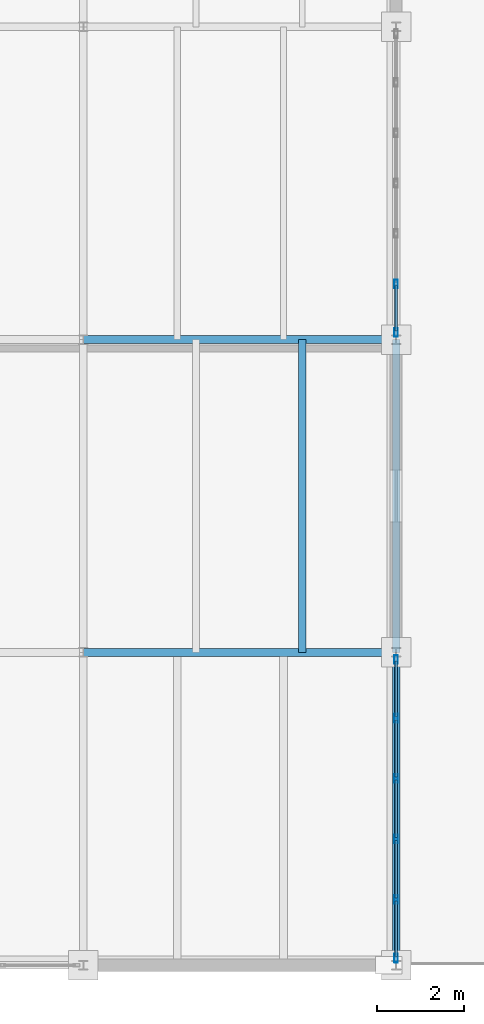
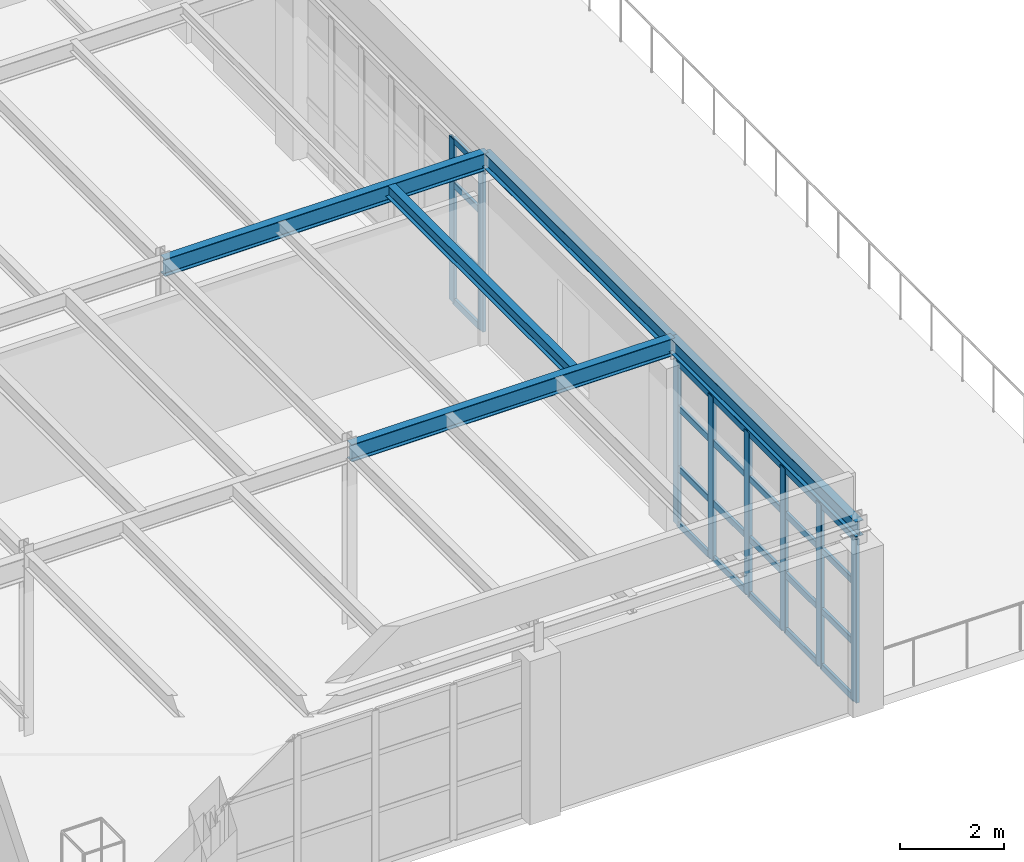
# One storey, part 20 of 43: 32 members, 5 beams, 2 elements without a shape of their own.
"""IFC4 building model written with IfcOpenShell, lengths in metres."""

from ifc_helpers import new_model, si_unit, direction, frame, origin, origin_2d, place, context, subcontext, project, spatial, hollow_rectangle, i_section, extrude, material, layer, layer_set, material_profile, profile_set, type_object, element, aggregate, save


model = new_model("IFC4")

# Units and contexts
model_context = context("Model", 3, precision=1e-05, world=origin(), true_north=direction((0.0, 1.0)))
body_context = subcontext(model_context, "Body", "Model", "MODEL_VIEW")
ifc_project = project(units=[si_unit("LENGTHUNIT", "METRE"), si_unit("AREAUNIT", "SQUARE_METRE"), si_unit("VOLUMEUNIT", "CUBIC_METRE"), si_unit("PLANEANGLEUNIT", "RADIAN"), si_unit("MASSUNIT", "GRAM", prefix="KILO")], contexts=[model_context])

# Site, building, storey
site_placement = place(None, origin())
site = spatial("IfcSite", under=ifc_project, at=site_placement, CompositionType="ELEMENT")
building_placement = place(site_placement, origin())
building = spatial("IfcBuilding", under=site, at=building_placement, Name="Kemerveld Promenade Tramway Depot", CompositionType="ELEMENT")
storey_placement = place(building_placement, frame((0.0, 0.0, 18.89990234375)))
storey = spatial("IfcBuildingStorey", under=building, at=storey_placement, Name="L04", CompositionType="ELEMENT", Elevation=18.89990234375)

# Beams
ifc_material_1 = material(Name="Steel S355", Category="steel")
ifc_material_profile_1 = material_profile(ifc_material_1, i_section(OverallWidth=0.1787109375, OverallDepth=0.409423828125, WebThickness=0.0087890625, FlangeThickness=0.014404296875, FilletRadius=0.01025390625, at=origin_2d()), Name="406x178x67 UB")
ifc_profile_set_1 = profile_set([ifc_material_profile_1], Name="Steel S355")
beam_type_1 = type_object("IfcBeamType", Name="BM-G07", PredefinedType="BEAM", material=ifc_profile_set_1)
for number, where, z_axis, x_axis, name in (
    (1, (28.800048828125, 7.199951171875, 4.115478515625), (1.0, 0.0, 0.0), (0.0, 1.0, 0.0), "BMX-L04-05-06-B"),
    (2, (28.800048828125, 14.39990234375, 4.115478515625), (1.0, 0.0, 0.0), (0.0, 1.0, 0.0), "BMX-L04-05-06-C"),
):
    element("IfcBeam", number, at=place(storey_placement, frame(where, z_axis=z_axis, x_axis=x_axis)), inside=storey, type_object=beam_type_1, Name=name, PredefinedType="BEAM", context=body_context, shape_type="SweptSolid", body=[
        extrude(i_section(OverallWidth=0.1787109375, OverallDepth=0.409423828125, WebThickness=0.0087890625, FlangeThickness=0.014404296875, FilletRadius=0.01025390625, at=origin_2d()), origin(), (0.0, 0.0, 1.0), 7.199951171875),
    ])
ifc_material_profile_2 = material_profile(ifc_material_1, i_section(OverallWidth=0.172119140625, OverallDepth=0.35791015625, WebThickness=0.008056640625, FlangeThickness=0.012939453125, FilletRadius=0.01025390625, at=origin_2d()), Name="356x171x57 UB")
ifc_profile_set_2 = profile_set([ifc_material_profile_2], Name="Steel S355")
beam_type_2 = type_object("IfcBeamType", Name="BM-G08", PredefinedType="BEAM", material=ifc_profile_set_2)
for number, where, z_axis, x_axis, name in (
    (3, (36.0, 0.0, 4.14111328125), (0.0, 1.0, 0.0), (-1.0, 0.0, 0.0), "BMY-L04-06-A-B"),
    (4, (36.0, 7.199951171875, 4.14111328125), (0.0, 1.0, 0.0), (-1.0, 0.0, 0.0), "BMY-L04-06-B-C"),
):
    element("IfcBeam", number, at=place(storey_placement, frame(where, z_axis=z_axis, x_axis=x_axis)), inside=storey, type_object=beam_type_2, Name=name, PredefinedType="BEAM", context=body_context, shape_type="SweptSolid", body=[
        extrude(i_section(OverallWidth=0.172119140625, OverallDepth=0.35791015625, WebThickness=0.008056640625, FlangeThickness=0.012939453125, FilletRadius=0.01025390625, at=origin_2d()), origin(), (0.0, 0.0, 1.0), 7.199951171875),
    ])
ifc_material_profile_3 = material_profile(ifc_material_1, i_section(OverallWidth=0.165771484375, OverallDepth=0.306640625, WebThickness=0.006591796875, FlangeThickness=0.01171875, FilletRadius=0.0087890625, at=origin_2d()), Name="305x165x46 UB")
ifc_profile_set_3 = profile_set([ifc_material_profile_3], Name="Steel S355")
beam_type_3 = type_object("IfcBeamType", Name="BM-J01", PredefinedType="JOIST", material=ifc_profile_set_3)
beam_placement = place(storey_placement, frame((33.840087890625, 7.199951171875, 4.166748046875), z_axis=(0.0, 1.0, 0.0), x_axis=(-1.0, 0.0, 0.0)))
element("IfcBeam", 5, at=beam_placement, inside=storey, type_object=beam_type_3, Name="JST-L04-05-B-2", PredefinedType="JOIST", context=body_context, shape_type="SweptSolid", body=[
    extrude(i_section(OverallWidth=0.165771484375, OverallDepth=0.306640625, WebThickness=0.006591796875, FlangeThickness=0.01171875, FilletRadius=0.0087890625, at=origin_2d()), origin(), (0.0, 0.0, 1.0), 7.199951171875),
])

# Curtain wall, members
ifc_material_2 = material(Name="Bronze anodised aluminium and solar glass", Category="aluminium")
ifc_layer_1 = layer(ifc_material_2, 0.199951171875)
ifc_layer_set_1 = layer_set([ifc_layer_1], Name="CW-SYS-06")
curtain_wall_type_1 = type_object("IfcCurtainWallType", Name="CW-SYS-06", PredefinedType="USERDEFINED", material=ifc_layer_set_1)
curtain_wall_1_placement = place(storey_placement, origin())
curtain_wall_1 = element("IfcCurtainWall", 6, at=curtain_wall_1_placement, inside=storey, type_object=curtain_wall_type_1, Name="CW-L04-V5ES-02", ObjectType="GLAZED_CURTAIN_WALL", PredefinedType="USERDEFINED")
ifc_material_3 = material(Name="Bronze anodised aluminium", Category="aluminium")
ifc_material_profile_4 = material_profile(ifc_material_3, hollow_rectangle(XDim=0.074951171875, YDim=0.199951171875, WallThickness=0.0048828125, InnerFilletRadius=0.001953125, OuterFilletRadius=0.0048828125, at=origin_2d()), Name="CW-MUL-200x75")
ifc_profile_set_4 = profile_set([ifc_material_profile_4], Name="Bronze anodised aluminium")
member_type_1 = type_object("IfcMemberType", Name="CW-MUL-B", PredefinedType="MULLION", material=ifc_profile_set_4)
member_1_placement = place(storey_placement, frame((36.0, 15.68310546875, 0.0), z_axis=(0.0, 0.0, 1.0), x_axis=(1.0, 0.0, 0.0)))
member_1 = element("IfcMember", 7, at=member_1_placement, type_object=member_type_1, Name="CW06 mullion 6", PredefinedType="MULLION", context=body_context, shape_type="SweptSolid", body=[
    extrude(hollow_rectangle(XDim=0.074951171875, YDim=0.199951171875, WallThickness=0.0048828125, InnerFilletRadius=0.001953125, OuterFilletRadius=0.0048828125, at=origin_2d()), origin(), (0.0, 0.0, 1.0), 3.85009765625),
])
member_2_placement = place(storey_placement, frame((36.0, 14.562255859375, 0.0), z_axis=(0.0, 0.0, 1.0), x_axis=(1.0, 0.0, 0.0)))
member_2 = element("IfcMember", 8, at=member_2_placement, type_object=member_type_1, Name="CW06 mullion 7", PredefinedType="MULLION", context=body_context, shape_type="SweptSolid", body=[
    extrude(hollow_rectangle(XDim=0.074951171875, YDim=0.199951171875, WallThickness=0.0048828125, InnerFilletRadius=0.001953125, OuterFilletRadius=0.0048828125, at=origin_2d()), origin(), (0.0, 0.0, 1.0), 3.85009765625),
])

ifc_layer_2 = layer(ifc_material_2, 0.199951171875)
ifc_layer_set_2 = layer_set([ifc_layer_2], Name="CW-SYS-08")
curtain_wall_type_2 = type_object("IfcCurtainWallType", Name="CW-SYS-08", PredefinedType="USERDEFINED", material=ifc_layer_set_2)
curtain_wall_2_placement = place(storey_placement, origin())
curtain_wall_2 = element("IfcCurtainWall", 9, at=curtain_wall_2_placement, inside=storey, type_object=curtain_wall_type_2, Name="CW-L04-V5ES-04", ObjectType="GLAZED_CURTAIN_WALL", PredefinedType="USERDEFINED")
member_3_placement = place(storey_placement, frame((36.0, 7.03759765625, 0.0), z_axis=(0.0, 0.0, 1.0), x_axis=(1.0, 0.0, 0.0)))
member_3 = element("IfcMember", 10, at=member_3_placement, type_object=member_type_1, Name="CW08 mullion 1", PredefinedType="MULLION", context=body_context, shape_type="SweptSolid", body=[
    extrude(hollow_rectangle(XDim=0.074951171875, YDim=0.199951171875, WallThickness=0.0048828125, InnerFilletRadius=0.001953125, OuterFilletRadius=0.0048828125, at=origin_2d()), origin(), (0.0, 0.0, 1.0), 3.85009765625),
])
member_4_placement = place(storey_placement, frame((36.0, 5.68505859375, 0.0), z_axis=(0.0, 0.0, 1.0), x_axis=(1.0, 0.0, 0.0)))
member_4 = element("IfcMember", 11, at=member_4_placement, type_object=member_type_1, Name="CW08 mullion 2", PredefinedType="MULLION", context=body_context, shape_type="SweptSolid", body=[
    extrude(hollow_rectangle(XDim=0.074951171875, YDim=0.199951171875, WallThickness=0.0048828125, InnerFilletRadius=0.001953125, OuterFilletRadius=0.0048828125, at=origin_2d()), origin(), (0.0, 0.0, 1.0), 3.85009765625),
])
member_5_placement = place(storey_placement, frame((36.0, 4.294921875, 0.0), z_axis=(0.0, 0.0, 1.0), x_axis=(1.0, 0.0, 0.0)))
member_5 = element("IfcMember", 12, at=member_5_placement, type_object=member_type_1, Name="CW08 mullion 3", PredefinedType="MULLION", context=body_context, shape_type="SweptSolid", body=[
    extrude(hollow_rectangle(XDim=0.074951171875, YDim=0.199951171875, WallThickness=0.0048828125, InnerFilletRadius=0.001953125, OuterFilletRadius=0.0048828125, at=origin_2d()), origin(), (0.0, 0.0, 1.0), 3.85009765625),
])
member_6_placement = place(storey_placement, frame((36.0, 2.905029296875, 0.0), z_axis=(0.0, 0.0, 1.0), x_axis=(1.0, 0.0, 0.0)))
member_6 = element("IfcMember", 13, at=member_6_placement, type_object=member_type_1, Name="CW08 mullion 4", PredefinedType="MULLION", context=body_context, shape_type="SweptSolid", body=[
    extrude(hollow_rectangle(XDim=0.074951171875, YDim=0.199951171875, WallThickness=0.0048828125, InnerFilletRadius=0.001953125, OuterFilletRadius=0.0048828125, at=origin_2d()), origin(), (0.0, 0.0, 1.0), 3.85009765625),
])
member_7_placement = place(storey_placement, frame((36.0, 1.514892578125, 0.0), z_axis=(0.0, 0.0, 1.0), x_axis=(1.0, 0.0, 0.0)))
member_7 = element("IfcMember", 14, at=member_7_placement, type_object=member_type_1, Name="CW08 mullion 5", PredefinedType="MULLION", context=body_context, shape_type="SweptSolid", body=[
    extrude(hollow_rectangle(XDim=0.074951171875, YDim=0.199951171875, WallThickness=0.0048828125, InnerFilletRadius=0.001953125, OuterFilletRadius=0.0048828125, at=origin_2d()), origin(), (0.0, 0.0, 1.0), 3.85009765625),
])
member_8_placement = place(storey_placement, frame((36.0, 0.162353515625, 0.0), z_axis=(0.0, 0.0, 1.0), x_axis=(1.0, 0.0, 0.0)))
member_8 = element("IfcMember", 15, at=member_8_placement, type_object=member_type_1, Name="CW08 mullion 6", PredefinedType="MULLION", context=body_context, shape_type="SweptSolid", body=[
    extrude(hollow_rectangle(XDim=0.074951171875, YDim=0.199951171875, WallThickness=0.0048828125, InnerFilletRadius=0.001953125, OuterFilletRadius=0.0048828125, at=origin_2d()), origin(), (0.0, 0.0, 1.0), 3.85009765625),
])

# Member
ifc_material_profile_5 = material_profile(ifc_material_3, hollow_rectangle(XDim=0.06494140625, YDim=0.14990234375, WallThickness=0.00439453125, InnerFilletRadius=0.001953125, OuterFilletRadius=0.00439453125, at=origin_2d()), Name="CW-TRN-150x65")
ifc_profile_set_5 = profile_set([ifc_material_profile_5], Name="Bronze anodised aluminium")
member_type_2 = type_object("IfcMemberType", Name="CW-TRN-B", PredefinedType="USERDEFINED", material=ifc_profile_set_5)
member_9_placement = place(storey_placement, frame((36.0, 15.645751953125, 0.03271484375), z_axis=(0.0, -1.0, 0.0), x_axis=(1.0, 0.0, 0.0)))
member_9 = element("IfcMember", 16, at=member_9_placement, type_object=member_type_2, Name="CW06 transom 6.1", ObjectType="TRANSOM", PredefinedType="USERDEFINED", context=body_context, shape_type="SweptSolid", body=[
    extrude(hollow_rectangle(XDim=0.06494140625, YDim=0.14990234375, WallThickness=0.00439453125, InnerFilletRadius=0.001953125, OuterFilletRadius=0.00439453125, at=origin_2d()), origin(), (0.0, 0.0, 1.0), 1.0458984375),
])

member_10_placement = place(storey_placement, frame((36.0, 15.645751953125, 1.34716796875), z_axis=(0.0, -1.0, 0.0), x_axis=(1.0, 0.0, 0.0)))
member_10 = element("IfcMember", 17, at=member_10_placement, type_object=member_type_2, Name="CW06 transom 6.2", ObjectType="TRANSOM", PredefinedType="USERDEFINED", context=body_context, shape_type="SweptSolid", body=[
    extrude(hollow_rectangle(XDim=0.06494140625, YDim=0.14990234375, WallThickness=0.00439453125, InnerFilletRadius=0.001953125, OuterFilletRadius=0.00439453125, at=origin_2d()), origin(), (0.0, 0.0, 1.0), 1.0458984375),
])

member_11_placement = place(storey_placement, frame((36.0, 15.645751953125, 2.772216796875), z_axis=(0.0, -1.0, 0.0), x_axis=(1.0, 0.0, 0.0)))
member_11 = element("IfcMember", 18, at=member_11_placement, type_object=member_type_2, Name="CW06 transom 6.3", ObjectType="TRANSOM", PredefinedType="USERDEFINED", context=body_context, shape_type="SweptSolid", body=[
    extrude(hollow_rectangle(XDim=0.06494140625, YDim=0.14990234375, WallThickness=0.00439453125, InnerFilletRadius=0.001953125, OuterFilletRadius=0.00439453125, at=origin_2d()), origin(), (0.0, 0.0, 1.0), 1.0458984375),
])

member_12_placement = place(storey_placement, frame((36.0, 15.645751953125, 3.817626953125), z_axis=(0.0, -1.0, 0.0), x_axis=(1.0, 0.0, 0.0)))
member_12 = element("IfcMember", 19, at=member_12_placement, type_object=member_type_2, Name="CW06 transom 6.4", ObjectType="TRANSOM", PredefinedType="USERDEFINED", context=body_context, shape_type="SweptSolid", body=[
    extrude(hollow_rectangle(XDim=0.06494140625, YDim=0.14990234375, WallThickness=0.00439453125, InnerFilletRadius=0.001953125, OuterFilletRadius=0.00439453125, at=origin_2d()), origin(), (0.0, 0.0, 1.0), 1.0458984375),
])

aggregate(curtain_wall_1, [member_1, member_2, member_9, member_10, member_11, member_12])

member_13_placement = place(storey_placement, frame((36.0, 7.000244140625, 0.03271484375), z_axis=(0.0, -1.0, 0.0), x_axis=(1.0, 0.0, 0.0)))
member_13 = element("IfcMember", 20, at=member_13_placement, type_object=member_type_2, Name="CW08 transom 1.1", ObjectType="TRANSOM", PredefinedType="USERDEFINED", context=body_context, shape_type="SweptSolid", body=[
    extrude(hollow_rectangle(XDim=0.06494140625, YDim=0.14990234375, WallThickness=0.00439453125, InnerFilletRadius=0.001953125, OuterFilletRadius=0.00439453125, at=origin_2d()), origin(), (0.0, 0.0, 1.0), 1.277587890625),
])

member_14_placement = place(storey_placement, frame((36.0, 7.000244140625, 1.34716796875), z_axis=(0.0, -1.0, 0.0), x_axis=(1.0, 0.0, 0.0)))
member_14 = element("IfcMember", 21, at=member_14_placement, type_object=member_type_2, Name="CW08 transom 1.2", ObjectType="TRANSOM", PredefinedType="USERDEFINED", context=body_context, shape_type="SweptSolid", body=[
    extrude(hollow_rectangle(XDim=0.06494140625, YDim=0.14990234375, WallThickness=0.00439453125, InnerFilletRadius=0.001953125, OuterFilletRadius=0.00439453125, at=origin_2d()), origin(), (0.0, 0.0, 1.0), 1.277587890625),
])

member_15_placement = place(storey_placement, frame((36.0, 7.000244140625, 2.772216796875), z_axis=(0.0, -1.0, 0.0), x_axis=(1.0, 0.0, 0.0)))
member_15 = element("IfcMember", 22, at=member_15_placement, type_object=member_type_2, Name="CW08 transom 1.3", ObjectType="TRANSOM", PredefinedType="USERDEFINED", context=body_context, shape_type="SweptSolid", body=[
    extrude(hollow_rectangle(XDim=0.06494140625, YDim=0.14990234375, WallThickness=0.00439453125, InnerFilletRadius=0.001953125, OuterFilletRadius=0.00439453125, at=origin_2d()), origin(), (0.0, 0.0, 1.0), 1.277587890625),
])

member_16_placement = place(storey_placement, frame((36.0, 7.000244140625, 3.817626953125), z_axis=(0.0, -1.0, 0.0), x_axis=(1.0, 0.0, 0.0)))
member_16 = element("IfcMember", 23, at=member_16_placement, type_object=member_type_2, Name="CW08 transom 1.4", ObjectType="TRANSOM", PredefinedType="USERDEFINED", context=body_context, shape_type="SweptSolid", body=[
    extrude(hollow_rectangle(XDim=0.06494140625, YDim=0.14990234375, WallThickness=0.00439453125, InnerFilletRadius=0.001953125, OuterFilletRadius=0.00439453125, at=origin_2d()), origin(), (0.0, 0.0, 1.0), 1.277587890625),
])

member_17_placement = place(storey_placement, frame((36.0, 5.647705078125, 0.03271484375), z_axis=(0.0, -1.0, 0.0), x_axis=(1.0, 0.0, 0.0)))
member_17 = element("IfcMember", 24, at=member_17_placement, type_object=member_type_2, Name="CW08 transom 2.1", ObjectType="TRANSOM", PredefinedType="USERDEFINED", context=body_context, shape_type="SweptSolid", body=[
    extrude(hollow_rectangle(XDim=0.06494140625, YDim=0.14990234375, WallThickness=0.00439453125, InnerFilletRadius=0.001953125, OuterFilletRadius=0.00439453125, at=origin_2d()), origin(), (0.0, 0.0, 1.0), 1.315185546875),
])

member_18_placement = place(storey_placement, frame((36.0, 5.647705078125, 1.34716796875), z_axis=(0.0, -1.0, 0.0), x_axis=(1.0, 0.0, 0.0)))
member_18 = element("IfcMember", 25, at=member_18_placement, type_object=member_type_2, Name="CW08 transom 2.2", ObjectType="TRANSOM", PredefinedType="USERDEFINED", context=body_context, shape_type="SweptSolid", body=[
    extrude(hollow_rectangle(XDim=0.06494140625, YDim=0.14990234375, WallThickness=0.00439453125, InnerFilletRadius=0.001953125, OuterFilletRadius=0.00439453125, at=origin_2d()), origin(), (0.0, 0.0, 1.0), 1.315185546875),
])

member_19_placement = place(storey_placement, frame((36.0, 5.647705078125, 2.772216796875), z_axis=(0.0, -1.0, 0.0), x_axis=(1.0, 0.0, 0.0)))
member_19 = element("IfcMember", 26, at=member_19_placement, type_object=member_type_2, Name="CW08 transom 2.3", ObjectType="TRANSOM", PredefinedType="USERDEFINED", context=body_context, shape_type="SweptSolid", body=[
    extrude(hollow_rectangle(XDim=0.06494140625, YDim=0.14990234375, WallThickness=0.00439453125, InnerFilletRadius=0.001953125, OuterFilletRadius=0.00439453125, at=origin_2d()), origin(), (0.0, 0.0, 1.0), 1.315185546875),
])

member_20_placement = place(storey_placement, frame((36.0, 5.647705078125, 3.817626953125), z_axis=(0.0, -1.0, 0.0), x_axis=(1.0, 0.0, 0.0)))
member_20 = element("IfcMember", 27, at=member_20_placement, type_object=member_type_2, Name="CW08 transom 2.4", ObjectType="TRANSOM", PredefinedType="USERDEFINED", context=body_context, shape_type="SweptSolid", body=[
    extrude(hollow_rectangle(XDim=0.06494140625, YDim=0.14990234375, WallThickness=0.00439453125, InnerFilletRadius=0.001953125, OuterFilletRadius=0.00439453125, at=origin_2d()), origin(), (0.0, 0.0, 1.0), 1.315185546875),
])

member_21_placement = place(storey_placement, frame((36.0, 4.257568359375, 0.03271484375), z_axis=(0.0, -1.0, 0.0), x_axis=(1.0, 0.0, 0.0)))
member_21 = element("IfcMember", 28, at=member_21_placement, type_object=member_type_2, Name="CW08 transom 3.1", ObjectType="TRANSOM", PredefinedType="USERDEFINED", context=body_context, shape_type="SweptSolid", body=[
    extrude(hollow_rectangle(XDim=0.06494140625, YDim=0.14990234375, WallThickness=0.00439453125, InnerFilletRadius=0.001953125, OuterFilletRadius=0.00439453125, at=origin_2d()), origin(), (0.0, 0.0, 1.0), 1.315185546875),
])

member_22_placement = place(storey_placement, frame((36.0, 4.257568359375, 1.34716796875), z_axis=(0.0, -1.0, 0.0), x_axis=(1.0, 0.0, 0.0)))
member_22 = element("IfcMember", 29, at=member_22_placement, type_object=member_type_2, Name="CW08 transom 3.2", ObjectType="TRANSOM", PredefinedType="USERDEFINED", context=body_context, shape_type="SweptSolid", body=[
    extrude(hollow_rectangle(XDim=0.06494140625, YDim=0.14990234375, WallThickness=0.00439453125, InnerFilletRadius=0.001953125, OuterFilletRadius=0.00439453125, at=origin_2d()), origin(), (0.0, 0.0, 1.0), 1.315185546875),
])

member_23_placement = place(storey_placement, frame((36.0, 4.257568359375, 2.772216796875), z_axis=(0.0, -1.0, 0.0), x_axis=(1.0, 0.0, 0.0)))
member_23 = element("IfcMember", 30, at=member_23_placement, type_object=member_type_2, Name="CW08 transom 3.3", ObjectType="TRANSOM", PredefinedType="USERDEFINED", context=body_context, shape_type="SweptSolid", body=[
    extrude(hollow_rectangle(XDim=0.06494140625, YDim=0.14990234375, WallThickness=0.00439453125, InnerFilletRadius=0.001953125, OuterFilletRadius=0.00439453125, at=origin_2d()), origin(), (0.0, 0.0, 1.0), 1.315185546875),
])

member_24_placement = place(storey_placement, frame((36.0, 4.257568359375, 3.817626953125), z_axis=(0.0, -1.0, 0.0), x_axis=(1.0, 0.0, 0.0)))
member_24 = element("IfcMember", 31, at=member_24_placement, type_object=member_type_2, Name="CW08 transom 3.4", ObjectType="TRANSOM", PredefinedType="USERDEFINED", context=body_context, shape_type="SweptSolid", body=[
    extrude(hollow_rectangle(XDim=0.06494140625, YDim=0.14990234375, WallThickness=0.00439453125, InnerFilletRadius=0.001953125, OuterFilletRadius=0.00439453125, at=origin_2d()), origin(), (0.0, 0.0, 1.0), 1.315185546875),
])

member_25_placement = place(storey_placement, frame((36.0, 2.867431640625, 0.03271484375), z_axis=(0.0, -1.0, 0.0), x_axis=(1.0, 0.0, 0.0)))
member_25 = element("IfcMember", 32, at=member_25_placement, type_object=member_type_2, Name="CW08 transom 4.1", ObjectType="TRANSOM", PredefinedType="USERDEFINED", context=body_context, shape_type="SweptSolid", body=[
    extrude(hollow_rectangle(XDim=0.06494140625, YDim=0.14990234375, WallThickness=0.00439453125, InnerFilletRadius=0.001953125, OuterFilletRadius=0.00439453125, at=origin_2d()), origin(), (0.0, 0.0, 1.0), 1.31494140625),
])

member_26_placement = place(storey_placement, frame((36.0, 2.867431640625, 1.34716796875), z_axis=(0.0, -1.0, 0.0), x_axis=(1.0, 0.0, 0.0)))
member_26 = element("IfcMember", 33, at=member_26_placement, type_object=member_type_2, Name="CW08 transom 4.2", ObjectType="TRANSOM", PredefinedType="USERDEFINED", context=body_context, shape_type="SweptSolid", body=[
    extrude(hollow_rectangle(XDim=0.06494140625, YDim=0.14990234375, WallThickness=0.00439453125, InnerFilletRadius=0.001953125, OuterFilletRadius=0.00439453125, at=origin_2d()), origin(), (0.0, 0.0, 1.0), 1.31494140625),
])

member_27_placement = place(storey_placement, frame((36.0, 2.867431640625, 2.772216796875), z_axis=(0.0, -1.0, 0.0), x_axis=(1.0, 0.0, 0.0)))
member_27 = element("IfcMember", 34, at=member_27_placement, type_object=member_type_2, Name="CW08 transom 4.3", ObjectType="TRANSOM", PredefinedType="USERDEFINED", context=body_context, shape_type="SweptSolid", body=[
    extrude(hollow_rectangle(XDim=0.06494140625, YDim=0.14990234375, WallThickness=0.00439453125, InnerFilletRadius=0.001953125, OuterFilletRadius=0.00439453125, at=origin_2d()), origin(), (0.0, 0.0, 1.0), 1.31494140625),
])

member_28_placement = place(storey_placement, frame((36.0, 2.867431640625, 3.817626953125), z_axis=(0.0, -1.0, 0.0), x_axis=(1.0, 0.0, 0.0)))
member_28 = element("IfcMember", 35, at=member_28_placement, type_object=member_type_2, Name="CW08 transom 4.4", ObjectType="TRANSOM", PredefinedType="USERDEFINED", context=body_context, shape_type="SweptSolid", body=[
    extrude(hollow_rectangle(XDim=0.06494140625, YDim=0.14990234375, WallThickness=0.00439453125, InnerFilletRadius=0.001953125, OuterFilletRadius=0.00439453125, at=origin_2d()), origin(), (0.0, 0.0, 1.0), 1.31494140625),
])

member_29_placement = place(storey_placement, frame((36.0, 1.477294921875, 0.03271484375), z_axis=(0.0, -1.0, 0.0), x_axis=(1.0, 0.0, 0.0)))
member_29 = element("IfcMember", 36, at=member_29_placement, type_object=member_type_2, Name="CW08 transom 5.1", ObjectType="TRANSOM", PredefinedType="USERDEFINED", context=body_context, shape_type="SweptSolid", body=[
    extrude(hollow_rectangle(XDim=0.06494140625, YDim=0.14990234375, WallThickness=0.00439453125, InnerFilletRadius=0.001953125, OuterFilletRadius=0.00439453125, at=origin_2d()), origin(), (0.0, 0.0, 1.0), 1.277587890625),
])

member_30_placement = place(storey_placement, frame((36.0, 1.477294921875, 1.34716796875), z_axis=(0.0, -1.0, 0.0), x_axis=(1.0, 0.0, 0.0)))
member_30 = element("IfcMember", 37, at=member_30_placement, type_object=member_type_2, Name="CW08 transom 5.2", ObjectType="TRANSOM", PredefinedType="USERDEFINED", context=body_context, shape_type="SweptSolid", body=[
    extrude(hollow_rectangle(XDim=0.06494140625, YDim=0.14990234375, WallThickness=0.00439453125, InnerFilletRadius=0.001953125, OuterFilletRadius=0.00439453125, at=origin_2d()), origin(), (0.0, 0.0, 1.0), 1.277587890625),
])

member_31_placement = place(storey_placement, frame((36.0, 1.477294921875, 2.772216796875), z_axis=(0.0, -1.0, 0.0), x_axis=(1.0, 0.0, 0.0)))
member_31 = element("IfcMember", 38, at=member_31_placement, type_object=member_type_2, Name="CW08 transom 5.3", ObjectType="TRANSOM", PredefinedType="USERDEFINED", context=body_context, shape_type="SweptSolid", body=[
    extrude(hollow_rectangle(XDim=0.06494140625, YDim=0.14990234375, WallThickness=0.00439453125, InnerFilletRadius=0.001953125, OuterFilletRadius=0.00439453125, at=origin_2d()), origin(), (0.0, 0.0, 1.0), 1.277587890625),
])

member_32_placement = place(storey_placement, frame((36.0, 1.477294921875, 3.817626953125), z_axis=(0.0, -1.0, 0.0), x_axis=(1.0, 0.0, 0.0)))
member_32 = element("IfcMember", 39, at=member_32_placement, type_object=member_type_2, Name="CW08 transom 5.4", ObjectType="TRANSOM", PredefinedType="USERDEFINED", context=body_context, shape_type="SweptSolid", body=[
    extrude(hollow_rectangle(XDim=0.06494140625, YDim=0.14990234375, WallThickness=0.00439453125, InnerFilletRadius=0.001953125, OuterFilletRadius=0.00439453125, at=origin_2d()), origin(), (0.0, 0.0, 1.0), 1.277587890625),
])

aggregate(curtain_wall_2, [member_3, member_4, member_5, member_6, member_7, member_8, member_13, member_14, member_15, member_16, member_17, member_18, member_19, member_20, member_21, member_22, member_23, member_24, member_25, member_26, member_27, member_28, member_29, member_30, member_31, member_32])

save(model, "model.ifc")
